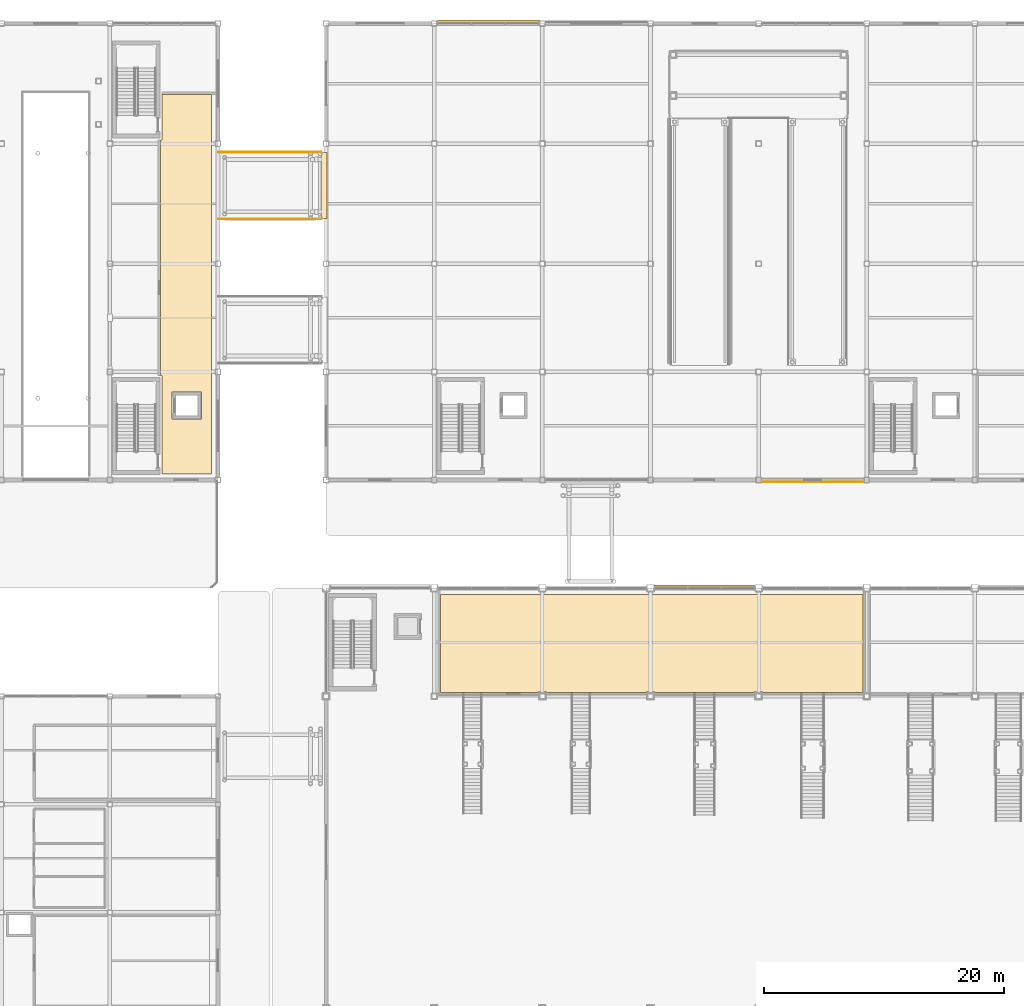
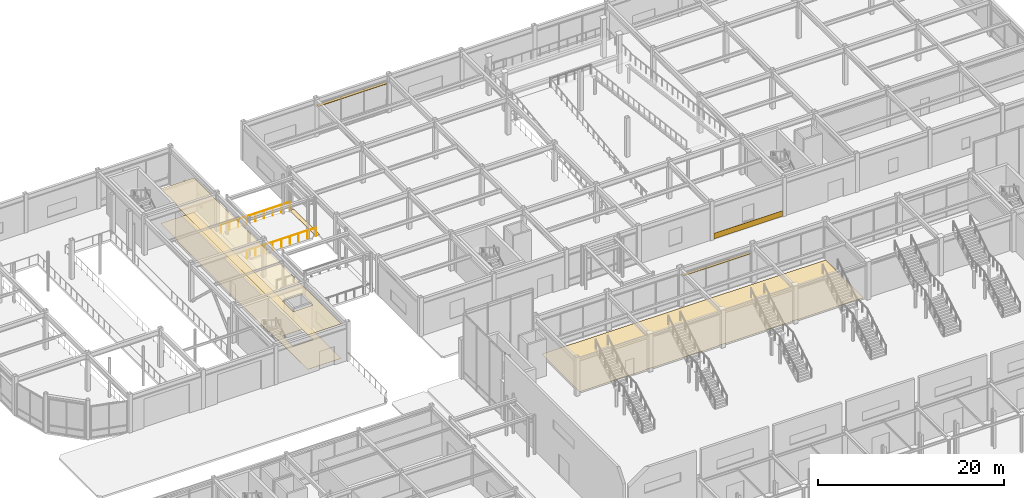
# One storey, part 113 of 123: 5 coverings, 2 railings, 2 shading devices.
"""IFC4 building model written with IfcOpenShell, lengths in metres."""

from ifc_helpers import new_model, si_unit, direction, frame, origin, origin_2d, place, context, subcontext, project, spatial, polyline, rectangle, circle, outline, extrude, material, layer, layer_set, material_profile, profile_set, type_object, element, save


model = new_model("IFC4")

# Units and contexts
model_context = context("Model", 3, precision=1e-05, world=origin(), true_north=direction((0.0, 1.0)))
body_context = subcontext(model_context, "Body", "Model", "MODEL_VIEW")
ifc_project = project(units=[si_unit("LENGTHUNIT", "METRE"), si_unit("AREAUNIT", "SQUARE_METRE"), si_unit("VOLUMEUNIT", "CUBIC_METRE"), si_unit("PLANEANGLEUNIT", "RADIAN"), si_unit("MASSUNIT", "GRAM", prefix="KILO")], contexts=[model_context])

# Site, building, storey
site_placement = place(None, origin())
site = spatial("IfcSite", under=ifc_project, at=site_placement, CompositionType="ELEMENT")
building_placement = place(site_placement, origin())
building = spatial("IfcBuilding", under=site, at=building_placement, Name="Suzunagisa Mobility Hub", CompositionType="ELEMENT")
storey_placement = place(building_placement, origin())
storey = spatial("IfcBuildingStorey", under=building, at=storey_placement, Name="L00", CompositionType="ELEMENT", Elevation=0.0)

# Coverings
ifc_material_1 = material(Name="Perforated Acoustic Aluminum Ceiling Tile", Category="aluminium")
ifc_layer_1 = layer(ifc_material_1, 0.02490234375)
ifc_layer_set_1 = layer_set([ifc_layer_1], Name="Perforated Acoustic Aluminum Ceiling Tile")
covering_type_1 = type_object("IfcCoveringType", Name="Perforated Aluminum Acoustic Ceiling Panel CLG-01", PredefinedType="CEILING", material=ifc_layer_set_1)
covering_1_placement = place(storey_placement, frame((0.0, 0.0, 4.514892578125)))
element("IfcCovering", 1, at=covering_1_placement, inside=storey, type_object=covering_type_1, Name="L00 Core C6 and C6B Protected Exit Passage L00 Acoustic Ceiling", PredefinedType="CEILING", context=body_context, shape_type="SweptSolid", body=[
    extrude(outline(polyline([(31.219970703125, 88.699951171875), (31.219970703125, 108.300048828125), (31.340087890625, 108.300048828125), (31.340087890625, 112.080078125), (35.47998046875, 112.080078125), (35.47998046875, 80.52001953125), (31.340087890625, 80.52001953125), (31.340087890625, 88.699951171875), (31.219970703125, 88.699951171875)]), holes=[polyline([(34.6298828125, 87.324951171875), (32.169921875, 87.324951171875), (32.169921875, 85.074951171875), (34.6298828125, 85.074951171875), (34.6298828125, 87.324951171875)])]), origin(), (0.0, 0.0, 1.0), 0.025146484375),
])
ifc_material_2 = material(Name="Polished Aggregate Terrazzo Finish")
ifc_layer_2 = layer(ifc_material_2, 0.02001953125)
ifc_layer_set_2 = layer_set([ifc_layer_2], Name="Polished Aggregate Terrazzo Finish")
covering_type_2 = type_object("IfcCoveringType", Name="Polished Terrazzo Heavy-Traffic Flooring FLR-01", PredefinedType="FLOORING", material=ifc_layer_set_2)
covering_2_placement = place(storey_placement, origin())
element("IfcCovering", 2, at=covering_2_placement, inside=storey, type_object=covering_type_2, Name="L00 Integrated Transit Ticketing and Information Lounge Terrazzo Flooring", PredefinedType="FLOORING", context=body_context, shape_type="SweptSolid", body=[
    extrude(outline(polyline([(89.679931640625, 70.47998046875), (89.679931640625, 62.3701171875), (89.6298828125, 62.3701171875), (89.6298828125, 62.320068359375), (81.3701171875, 62.320068359375), (81.3701171875, 62.3701171875), (80.6298828125, 62.3701171875), (80.6298828125, 62.320068359375), (72.3701171875, 62.320068359375), (72.3701171875, 62.3701171875), (71.6298828125, 62.3701171875), (71.6298828125, 62.320068359375), (63.3701171875, 62.320068359375), (63.3701171875, 62.3701171875), (62.6298828125, 62.3701171875), (62.6298828125, 62.320068359375), (54.52001953125, 62.320068359375), (54.52001953125, 70.47998046875), (89.679931640625, 70.47998046875)])), origin(), (0.0, 0.0, 1.0), 0.02001953125),
])
covering_3_placement = place(storey_placement, origin())
element("IfcCovering", 3, at=covering_3_placement, inside=storey, type_object=covering_type_2, Name="L00 Core C6 and C6B Protected Exit Passage L00 Terrazzo Flooring", PredefinedType="FLOORING", context=body_context, shape_type="SweptSolid", body=[
    extrude(outline(polyline([(31.219970703125, 88.699951171875), (31.219970703125, 108.300048828125), (31.340087890625, 108.300048828125), (31.340087890625, 112.080078125), (35.47998046875, 112.080078125), (35.47998046875, 80.52001953125), (31.340087890625, 80.52001953125), (31.340087890625, 88.699951171875), (31.219970703125, 88.699951171875)]), holes=[polyline([(34.6298828125, 87.324951171875), (32.169921875, 87.324951171875), (32.169921875, 85.074951171875), (34.6298828125, 85.074951171875), (34.6298828125, 87.324951171875)])]), origin(), (0.0, 0.0, 1.0), 0.02001953125),
])
covering_4_placement = place(storey_placement, frame((0.0, 0.0, -0.02001953125)))
element("IfcCovering", 4, at=covering_4_placement, inside=storey, type_object=covering_type_2, Name="L00 Flush Hinged Seismic Threshold Plate VRL-L00-N", PredefinedType="FLOORING", context=body_context, shape_type="SweptSolid", body=[
    extrude(outline(polyline([(44.570068359375, 101.75), (45.080078125, 101.75), (45.080078125, 107.25), (44.570068359375, 107.25), (44.570068359375, 101.75)])), origin(), (0.0, 0.0, 1.0), 0.02001953125),
])
ifc_material_3 = material(Name="Vitreous Porcelain Enamel Aluminum Cladding", Category="aluminium")
ifc_layer_3 = layer(ifc_material_3, 0.034912109375)
ifc_layer_set_3 = layer_set([ifc_layer_3], Name="Vitreous Porcelain Enamel Aluminum Cladding")
covering_type_3 = type_object("IfcCoveringType", Name="Porcelain Enamel Spandrel Cladding Band CLD-01", PredefinedType="CLADDING", material=ifc_layer_set_3)
covering_5_placement = place(storey_placement, frame((85.5, 79.842529296875, 0.06005859375), z_axis=(0.0, 0.0, 1.0), x_axis=(1.0, 0.0, 0.0)))
element("IfcCovering", 5, at=covering_5_placement, inside=storey, type_object=covering_type_3, Name="L00 Porcelain Spandrel Cladding Band CLD-13", PredefinedType="CLADDING", context=body_context, shape_type="SweptSolid", body=[
    extrude(rectangle(XDim=8.449951171875, YDim=0.034912109375, at=origin_2d()), origin(), (0.0, 0.0, 1.0), 0.719970703125),
])

# Shading devices
ifc_material_4 = material(Name="Fluoropolymer-Coated Extruded Aluminum 6063-T5", Category="aluminium")
ifc_material_profile_1 = material_profile(ifc_material_4, rectangle(XDim=0.360107421875, YDim=0.050048828125, at=origin_2d()), Name="FIN-360x50")
ifc_profile_set_1 = profile_set([ifc_material_profile_1], Name="Fluoropolymer-Coated Extruded Aluminum 6063-T5")
shading_device_type_1 = type_object("IfcShadingDeviceType", Name="Streamline Aluminum Sunshade SF-01 FIN-360x50", PredefinedType="SHUTTER", material=ifc_profile_set_1)
shading_device_1_placement = place(storey_placement, frame((62.742431640625, 118.110107421875, 3.739990234375), z_axis=(-1.0, 0.0, 0.0), x_axis=(0.0, -1.0, 0.0)))
element("IfcShadingDevice", 6, at=shading_device_1_placement, inside=storey, type_object=shading_device_type_1, Name="L00 Streamline Speed-Rail Sunshade Fin SF-19", PredefinedType="SHUTTER", context=body_context, shape_type="SweptSolid", body=[
    extrude(rectangle(XDim=0.360107421875, YDim=0.050048828125, at=origin_2d()), origin(), (0.0, 0.0, 1.0), 8.48486328125),
])
ifc_material_profile_2 = material_profile(ifc_material_4, rectangle(XDim=0.280029296875, YDim=0.044921875, at=origin_2d()), Name="FIN-280x45")
ifc_profile_set_2 = profile_set([ifc_material_profile_2], Name="Fluoropolymer-Coated Extruded Aluminum 6063-T5")
shading_device_type_2 = type_object("IfcShadingDeviceType", Name="Streamline Aluminum Sunshade SF-02 FIN-280x45", PredefinedType="JALOUSIE", material=ifc_profile_set_2)
shading_device_2_placement = place(storey_placement, frame((80.66748046875, 71.107421875, 3.699951171875), z_axis=(-1.0, 0.0, 0.0), x_axis=(0.0, -1.0, 0.0)))
element("IfcShadingDevice", 7, at=shading_device_2_placement, inside=storey, type_object=shading_device_type_2, Name="L00 Streamline Speed-Rail Sunshade Fin SF-10", PredefinedType="JALOUSIE", context=body_context, shape_type="SweptSolid", body=[
    extrude(rectangle(XDim=0.280029296875, YDim=0.044921875, at=origin_2d()), origin(), (0.0, 0.0, 1.0), 8.3349609375),
])

# Railings
ifc_material_5 = material(Name="Stainless Steel SUS316", Category="metal")
railing_type = type_object("IfcRailingType", Name="Terrace Stainless Steel Guardrail GR-01", PredefinedType="GUARDRAIL", material=ifc_material_5)
for number, where, name in (
    (8, (36.050048828125, 101.719970703125, 0.0), "L00 Bridge Edge Guardrail VRL-L00-N-73"),
    (9, (36.050048828125, 107.280029296875, 0.0), "L00 Bridge Edge Guardrail VRL-L00-N-74"),
):
    element("IfcRailing", number, at=place(storey_placement, frame(where)), inside=storey, type_object=railing_type, Name=name, PredefinedType="GUARDRAIL", context=body_context, shape_type="SweptSolid", body=[
        extrude(circle(Radius=0.02392578125, at=origin_2d()), frame((0.0, 0.0, 1.09619140625), z_axis=(1.0, 0.0, 0.0), x_axis=(0.0, 1.0, 0.0)), (0.0, 0.0, 1.0), 8.550048828125),
        extrude(circle(Radius=0.02099609375, at=origin_2d()), origin(), (0.0, 0.0, 1.0), 1.072021484375),
        extrude(circle(Radius=0.02099609375, at=origin_2d()), frame((1.06884765625, 0.0, 0.0)), (0.0, 0.0, 1.0), 1.072021484375),
        extrude(circle(Radius=0.02099609375, at=origin_2d()), frame((2.137451171875, 0.0, 0.0)), (0.0, 0.0, 1.0), 1.072021484375),
        extrude(circle(Radius=0.02099609375, at=origin_2d()), frame((3.206298828125, 0.0, 0.0)), (0.0, 0.0, 1.0), 1.072021484375),
        extrude(circle(Radius=0.02099609375, at=origin_2d()), frame((4.27490234375, 0.0, 0.0)), (0.0, 0.0, 1.0), 1.072021484375),
        extrude(circle(Radius=0.02099609375, at=origin_2d()), frame((5.34375, 0.0, 0.0)), (0.0, 0.0, 1.0), 1.072021484375),
        extrude(circle(Radius=0.02099609375, at=origin_2d()), frame((6.41259765625, 0.0, 0.0)), (0.0, 0.0, 1.0), 1.072021484375),
        extrude(circle(Radius=0.02099609375, at=origin_2d()), frame((7.481201171875, 0.0, 0.0)), (0.0, 0.0, 1.0), 1.072021484375),
        extrude(circle(Radius=0.02099609375, at=origin_2d()), frame((8.550048828125, 0.0, 0.0)), (0.0, 0.0, 1.0), 1.072021484375),
    ])

save(model, "model.ifc")
